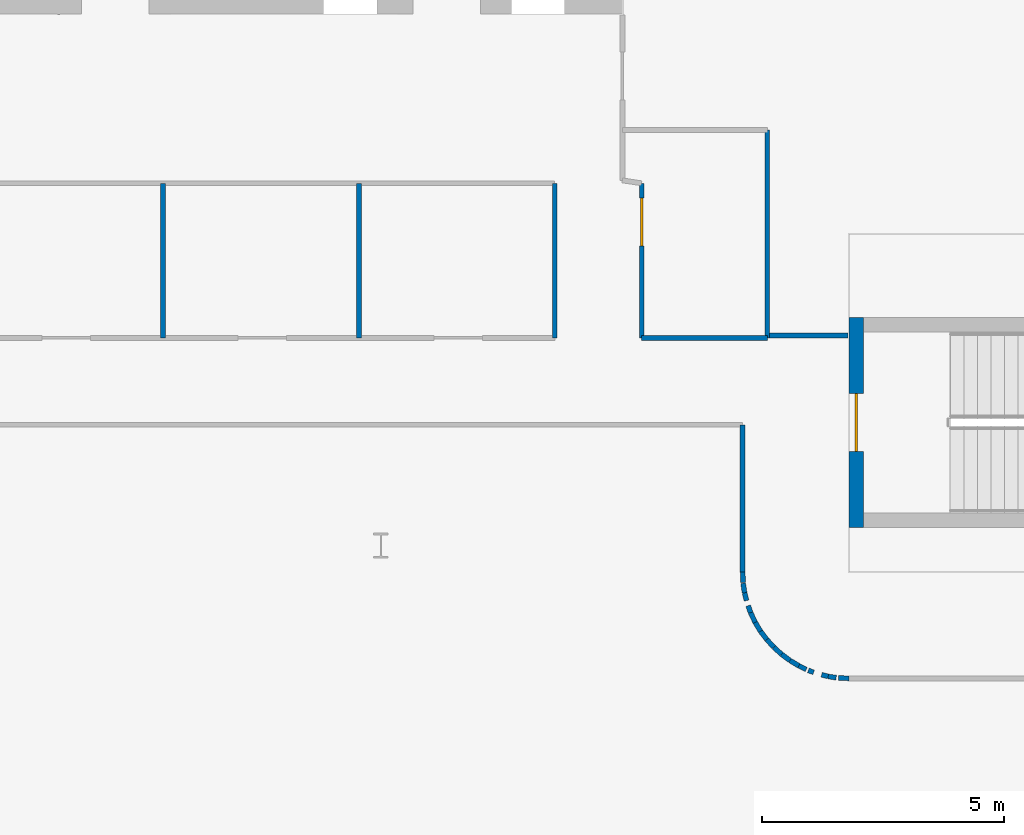
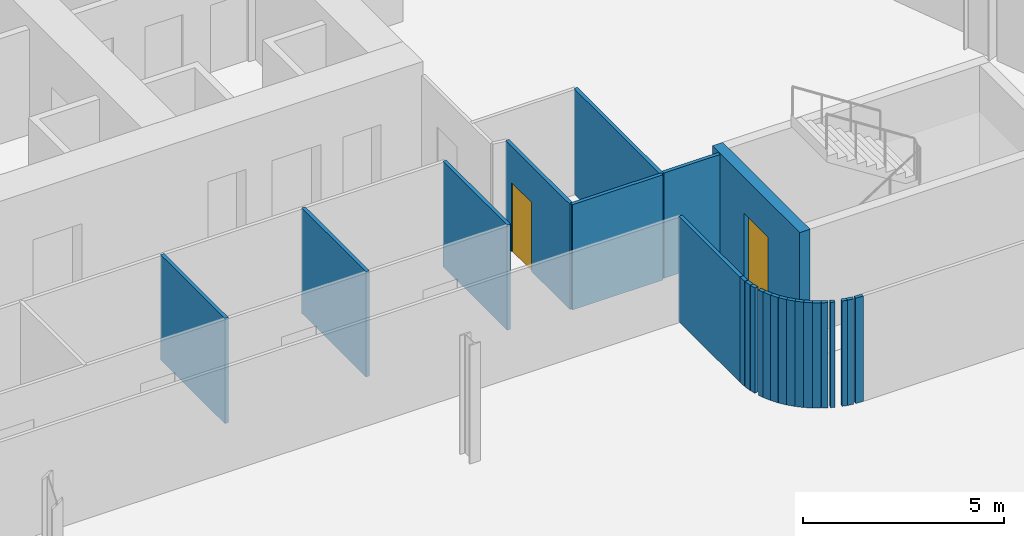
# One storey, part 19 of 30: 25 walls, 2 doors, 2 openings.
"""IFC4 building model written with IfcOpenShell, lengths in metres."""

from ifc_helpers import new_model, si_unit, direction, frame, frame_2d, origin, place, context, subcontext, project, spatial, rectangle, extrude, material, layer, layer_set, type_object, element, fill, save


model = new_model("IFC4")

# Units and contexts
model_context = context("Model", 3, precision=1e-05, world=origin(), true_north=direction((0.0, 1.0)))
body_context = subcontext(model_context, "Body", "Model", "MODEL_VIEW")
ifc_project = project(units=[si_unit("LENGTHUNIT", "METRE"), si_unit("AREAUNIT", "SQUARE_METRE"), si_unit("VOLUMEUNIT", "CUBIC_METRE"), si_unit("PLANEANGLEUNIT", "RADIAN"), si_unit("MASSUNIT", "GRAM", prefix="KILO")], contexts=[model_context])

# Site, building, storey
site_placement = place(None, origin())
site = spatial("IfcSite", under=ifc_project, at=site_placement, CompositionType="ELEMENT")
building_placement = place(site_placement, origin())
building = spatial("IfcBuilding", under=site, at=building_placement, Name="Wharfspan Tower", CompositionType="ELEMENT")
storey_placement = place(building_placement, frame((0.0, 0.0, 107.5)))
storey = spatial("IfcBuildingStorey", under=building, at=storey_placement, Name="L24", CompositionType="ELEMENT", Elevation=107.5)

# Walls
ifc_material_1 = material(Name="Gypsum board on steel studs", Category="steel")
ifc_layer_1 = layer(ifc_material_1, 0.100098)
ifc_layer_set_1 = layer_set([ifc_layer_1], Name="Gypsum board on steel studs")
wall_type_1 = type_object("IfcWallType", Name="Compartment wall 100 EI 60", PredefinedType="PARTITIONING", material=ifc_layer_set_1)
for number, where, z_axis, x_axis, name in (
    (1, (55.48999, 27.300049, 0.0), (0.0, 0.0, 1.0), (0.0, 1.0, 0.0), "Partition L24.w072"),
    (2, (59.544922, 27.300049, 0.0), (0.0, 0.0, 1.0), (0.0, 1.0, 0.0), "Partition L24.w074"),
    (3, (63.600098, 27.300049, 0.0), (0.0, 0.0, 1.0), (0.0, 1.0, 0.0), "Partition L24.w075"),
):
    element("IfcWall", number, at=place(storey_placement, frame(where, z_axis=z_axis, x_axis=x_axis)), inside=storey, type_object=wall_type_1, Name=name, PredefinedType="PARTITIONING", context=body_context, shape_type="SweptSolid", body=[
        extrude(rectangle(XDim=3.199951, YDim=0.100098, at=frame_2d((1.600098, 0.0))), origin(), (0.0, 0.0, 1.0), 3.199951),
    ])

# Wall, opening, door
wall_1_placement = place(storey_placement, frame((65.399902, 27.300049, 0.0), z_axis=(0.0, 0.0, 1.0), x_axis=(0.0, 1.0, 0.0)))
wall_1 = element("IfcWall", 4, at=wall_1_placement, inside=storey, type_object=wall_type_1, Name="Partition L24.w079", PredefinedType="PARTITIONING", context=body_context, shape_type="SweptSolid", body=[
    extrude(rectangle(XDim=3.199951, YDim=0.100098, at=frame_2d((1.600098, 0.0))), origin(), (0.0, 0.0, 1.0), 3.199951),
])
opening_1_placement = place(wall_1_placement, frame((1.899902, 0.0, 0.0)))
opening_1 = element("IfcOpeningElement", 5, at=opening_1_placement, cuts=wall_1, Name="Opening B2-19", PredefinedType="OPENING", context=body_context, shape_type="SweptSolid", body=[
    extrude(rectangle(XDim=1.0, YDim=2.100098, at=frame_2d((0.5, 1.050049))), frame((0.0, 0.060059, 0.0), z_axis=(0.0, -1.0, 0.0), x_axis=(1.0, 0.0, 0.0)), (0.0, 0.0, 1.0), 0.120117),
])
ifc_material_2 = material(Name="Fire-rated timber door leaf in steel frame", Category="steel")
door_type_1 = type_object("IfcDoorType", Name="Door 1000 FD30S Right", OperationType="SINGLE_SWING_RIGHT", PredefinedType="DOOR", material=ifc_material_2)
door_1_placement = place(opening_1_placement, origin())
door_1 = element("IfcDoor", 6, at=door_1_placement, inside=storey, type_object=door_type_1, Name="Door B2-19", OperationType="SINGLE_SWING_RIGHT", OverallHeight=2.100098, OverallWidth=1.0, PredefinedType="DOOR", context=body_context, shape_type="SweptSolid", body=[
    extrude(rectangle(XDim=1.0, YDim=2.100098, at=frame_2d((0.5, 1.050049))), frame((0.0, 0.024902, 0.0), z_axis=(0.0, -1.0, 0.0), x_axis=(1.0, 0.0, 0.0)), (0.0, 0.0, 1.0), 0.050049),
])
fill(opening_1, door_1)

# Walls
wall_2_placement = place(storey_placement, frame((65.399902, 27.300049, 0.0), z_axis=(0.0, 0.0, 1.0), x_axis=(1.0, 0.0, 0.0)))
element("IfcWall", 7, at=wall_2_placement, inside=storey, type_object=wall_type_1, Name="Partition L24.w080", PredefinedType="PARTITIONING", context=body_context, shape_type="SweptSolid", body=[
    extrude(rectangle(XDim=2.600098, YDim=0.100098, at=frame_2d((1.300049, 0.0))), origin(), (0.0, 0.0, 1.0), 3.199951),
])
wall_3_placement = place(storey_placement, frame((67.48999, 22.449951, 0.0), z_axis=(0.0, 0.0, 1.0), x_axis=(0.0, 1.0, 0.0)))
element("IfcWall", 8, at=wall_3_placement, inside=storey, type_object=wall_type_1, Name="Partition L24.w081", PredefinedType="PARTITIONING", context=body_context, shape_type="SweptSolid", body=[
    extrude(rectangle(XDim=3.050049, YDim=0.100098, at=frame_2d((1.524902, 0.0))), origin(), (0.0, 0.0, 1.0), 3.199951),
])
wall_4_placement = place(storey_placement, frame((67.5, 22.235107, 0.0), z_axis=(0.0, 0.0, 1.0), x_axis=(-0.04654, 0.998912, 0.0)))
element("IfcWall", 9, at=wall_4_placement, inside=storey, type_object=wall_type_1, Name="Partition L24.w082", PredefinedType="PARTITIONING", context=body_context, shape_type="SweptSolid", body=[
    extrude(rectangle(XDim=0.215088, YDim=0.100098, at=frame_2d((0.107422, 0.0))), origin(), (0.0, 0.0, 1.0), 3.199951),
])
wall_5_placement = place(storey_placement, frame((67.530029, 22.02002, 0.0), z_axis=(0.0, 0.0, 1.0), x_axis=(-0.148517, 0.988906, 0.0)))
element("IfcWall", 10, at=wall_5_placement, inside=storey, type_object=wall_type_1, Name="Partition L24.w083", PredefinedType="PARTITIONING", context=body_context, shape_type="SweptSolid", body=[
    extrude(rectangle(XDim=0.202148, YDim=0.100098, at=frame_2d((0.101074, 0.0))), origin(), (0.0, 0.0, 1.0), 3.199951),
])
wall_6_placement = place(storey_placement, frame((67.570068, 21.860107, 0.0), z_axis=(0.0, 0.0, 1.0), x_axis=(-0.242884, 0.970055, 0.0)))
element("IfcWall", 11, at=wall_6_placement, inside=storey, type_object=wall_type_1, Name="Partition L24.w084", PredefinedType="PARTITIONING", context=body_context, shape_type="SweptSolid", body=[
    extrude(rectangle(XDim=0.164795, YDim=0.100098, at=frame_2d((0.08252, 0.0))), origin(), (0.0, 0.0, 1.0), 3.199951),
])
wall_7_placement = place(storey_placement, frame((67.655029, 21.610107, 0.0), z_axis=(0.0, 0.0, 1.0), x_axis=(-0.326726, 0.945115, 0.0)))
element("IfcWall", 12, at=wall_7_placement, inside=storey, type_object=wall_type_1, Name="Partition L24.w085", PredefinedType="PARTITIONING", context=body_context, shape_type="SweptSolid", body=[
    extrude(rectangle(XDim=0.153076, YDim=0.100098, at=frame_2d((0.07666, 0.0))), origin(), (0.0, 0.0, 1.0), 3.199951),
])
wall_8_placement = place(storey_placement, frame((67.75, 21.409912, 0.0), z_axis=(0.0, 0.0, 1.0), x_axis=(-0.428606, 0.903488, 0.0)))
element("IfcWall", 13, at=wall_8_placement, inside=storey, type_object=wall_type_1, Name="Partition L24.w086", PredefinedType="PARTITIONING", context=body_context, shape_type="SweptSolid", body=[
    extrude(rectangle(XDim=0.22168, YDim=0.100098, at=frame_2d((0.11084, 0.0))), origin(), (0.0, 0.0, 1.0), 3.199951),
])
wall_9_placement = place(storey_placement, frame((67.860107, 21.225098, 0.0), z_axis=(0.0, 0.0, 1.0), x_axis=(-0.511823, 0.859091, 0.0)))
element("IfcWall", 14, at=wall_9_placement, inside=storey, type_object=wall_type_1, Name="Partition L24.w087", PredefinedType="PARTITIONING", context=body_context, shape_type="SweptSolid", body=[
    extrude(rectangle(XDim=0.215088, YDim=0.100098, at=frame_2d((0.107422, 0.0))), origin(), (0.0, 0.0, 1.0), 3.199951),
])
wall_10_placement = place(storey_placement, frame((67.98999, 21.054932, 0.0), z_axis=(0.0, 0.0, 1.0), x_axis=(-0.606728, 0.794905, 0.0)))
element("IfcWall", 15, at=wall_10_placement, inside=storey, type_object=wall_type_1, Name="Partition L24.w088", PredefinedType="PARTITIONING", context=body_context, shape_type="SweptSolid", body=[
    extrude(rectangle(XDim=0.214111, YDim=0.100098, at=frame_2d((0.106934, 0.0))), origin(), (0.0, 0.0, 1.0), 3.199951),
])
wall_11_placement = place(storey_placement, frame((68.0, 27.300049, 0.0), z_axis=(0.0, 0.0, 1.0), x_axis=(0.0, 1.0, 0.0)))
element("IfcWall", 16, at=wall_11_placement, inside=storey, type_object=wall_type_1, Name="Partition L24.w089", PredefinedType="PARTITIONING", context=body_context, shape_type="SweptSolid", body=[
    extrude(rectangle(XDim=4.300049, YDim=0.100098, at=frame_2d((2.149902, 0.0))), origin(), (0.0, 0.0, 1.0), 3.199951),
])
wall_12_placement = place(storey_placement, frame((68.050049, 27.350098, 0.0), z_axis=(0.0, 0.0, 1.0), x_axis=(1.0, 0.0, 0.0)))
element("IfcWall", 17, at=wall_12_placement, inside=storey, type_object=wall_type_1, Name="Partition L24.w091", PredefinedType="PARTITIONING", context=body_context, shape_type="SweptSolid", body=[
    extrude(rectangle(XDim=1.620361, YDim=0.100098, at=frame_2d((0.810059, 0.0))), origin(), (0.0, 0.0, 1.0), 3.199951),
])
for number, where, z_axis, x_axis, name in (
    (18, (68.13501, 20.89502, 0.0), (0.0, 0.0, 1.0), (-0.671775, 0.740762, 0.0), "Partition L24.w092"),
    (19, (68.294922, 20.75, 0.0), (0.0, 0.0, 1.0), (-0.740762, 0.671775, 0.0), "Partition L24.w093"),
):
    element("IfcWall", number, at=place(storey_placement, frame(where, z_axis=z_axis, x_axis=x_axis)), inside=storey, type_object=wall_type_1, Name=name, PredefinedType="PARTITIONING", context=body_context, shape_type="SweptSolid", body=[
        extrude(rectangle(XDim=0.21582, YDim=0.100098, at=frame_2d((0.10791, 0.0))), origin(), (0.0, 0.0, 1.0), 3.199951),
    ])
wall_13_placement = place(storey_placement, frame((68.469971, 20.620117, 0.0), z_axis=(0.0, 0.0, 1.0), x_axis=(-0.803079, 0.595869, 0.0)))
element("IfcWall", 20, at=wall_13_placement, inside=storey, type_object=wall_type_1, Name="Partition L24.w094", PredefinedType="PARTITIONING", context=body_context, shape_type="SweptSolid", body=[
    extrude(rectangle(XDim=0.218018, YDim=0.100098, at=frame_2d((0.108887, 0.0))), origin(), (0.0, 0.0, 1.0), 3.199951),
])
wall_14_placement = place(storey_placement, frame((68.655029, 20.51001, 0.0), z_axis=(0.0, 0.0, 1.0), x_axis=(-0.859387, 0.511324, 0.0)))
element("IfcWall", 21, at=wall_14_placement, inside=storey, type_object=wall_type_1, Name="Partition L24.w095", PredefinedType="PARTITIONING", context=body_context, shape_type="SweptSolid", body=[
    extrude(rectangle(XDim=0.215332, YDim=0.100098, at=frame_2d((0.107666, 0.0))), origin(), (0.0, 0.0, 1.0), 3.199951),
])
wall_15_placement = place(storey_placement, frame((68.804932, 20.435059, 0.0), z_axis=(0.0, 0.0, 1.0), x_axis=(-0.894428, 0.447214, 0.0)))
element("IfcWall", 22, at=wall_15_placement, inside=storey, type_object=wall_type_1, Name="Partition L24.w096", PredefinedType="PARTITIONING", context=body_context, shape_type="SweptSolid", body=[
    extrude(rectangle(XDim=0.16748, YDim=0.100098, at=frame_2d((0.08374, 0.0))), origin(), (0.0, 0.0, 1.0), 3.199951),
])
wall_16_placement = place(storey_placement, frame((68.959961, 20.375, 0.0), z_axis=(0.0, 0.0, 1.0), x_axis=(-0.939545, 0.342412, 0.0)))
element("IfcWall", 23, at=wall_16_placement, inside=storey, type_object=wall_type_1, Name="Partition L24.w097", PredefinedType="PARTITIONING", context=body_context, shape_type="SweptSolid", body=[
    extrude(rectangle(XDim=0.116943, YDim=0.100098, at=frame_2d((0.058594, 0.0))), origin(), (0.0, 0.0, 1.0), 3.199951),
])
wall_17_placement = place(storey_placement, frame((69.26001, 20.290039, 0.0), z_axis=(0.0, 0.0, 1.0), x_axis=(-0.968156, 0.250355, 0.0)))
element("IfcWall", 24, at=wall_17_placement, inside=storey, type_object=wall_type_1, Name="Partition L24.w098", PredefinedType="PARTITIONING", context=body_context, shape_type="SweptSolid", body=[
    extrude(rectangle(XDim=0.139404, YDim=0.100098, at=frame_2d((0.069824, 0.0))), origin(), (0.0, 0.0, 1.0), 3.199951),
])
wall_18_placement = place(storey_placement, frame((69.425049, 20.264893, 0.0), z_axis=(0.0, 0.0, 1.0), x_axis=(-0.988594, 0.150629, 0.0)))
element("IfcWall", 25, at=wall_18_placement, inside=storey, type_object=wall_type_1, Name="Partition L24.w099", PredefinedType="PARTITIONING", context=body_context, shape_type="SweptSolid", body=[
    extrude(rectangle(XDim=0.166992, YDim=0.100098, at=frame_2d((0.083496, 0.0))), origin(), (0.0, 0.0, 1.0), 3.199951),
])
wall_19_placement = place(storey_placement, frame((69.689941, 20.25, 0.0), z_axis=(0.0, 0.0, 1.0), x_axis=(-0.998912, 0.04654, 0.0)))
element("IfcWall", 26, at=wall_19_placement, inside=storey, type_object=wall_type_1, Name="Partition L24.w101", PredefinedType="PARTITIONING", context=body_context, shape_type="SweptSolid", body=[
    extrude(rectangle(XDim=0.215088, YDim=0.100098, at=frame_2d((0.107422, 0.0))), origin(), (0.0, 0.0, 1.0), 3.199951),
])

# Wall, opening, door
ifc_material_3 = material(Name="Concrete C40/50", Category="concrete")
ifc_layer_2 = layer(ifc_material_3, 0.300049)
ifc_layer_set_2 = layer_set([ifc_layer_2], Name="Concrete C40/50")
wall_type_2 = type_object("IfcWallType", Name="Stair core wall 300", PredefinedType="SHEAR", material=ifc_layer_set_2)
wall_20_placement = place(storey_placement, frame((69.840332, 23.375, 0.0), z_axis=(0.0, 0.0, 1.0), x_axis=(0.0, 1.0, 0.0)))
wall_20 = element("IfcWall", 27, at=wall_20_placement, inside=storey, type_object=wall_type_2, Name="ST6 stair enclosure wall L24", PredefinedType="SHEAR", context=body_context, shape_type="SweptSolid", body=[
    extrude(rectangle(XDim=4.350098, YDim=0.300049, at=frame_2d((2.175049, 0.0))), origin(), (0.0, 0.0, 1.0), 3.199951),
])
opening_2_placement = place(wall_20_placement, frame((1.574951, 0.0, 0.0)))
opening_2 = element("IfcOpeningElement", 28, at=opening_2_placement, cuts=wall_20, Name="Opening SD6.L24", PredefinedType="OPENING", context=body_context, shape_type="SweptSolid", body=[
    extrude(rectangle(XDim=1.199951, YDim=2.100098, at=frame_2d((0.600098, 1.050049))), frame((0.0, 0.159912, 0.0), z_axis=(0.0, -1.0, 0.0), x_axis=(1.0, 0.0, 0.0)), (0.0, 0.0, 1.0), 0.320068),
])
ifc_material_4 = material(Name="Steel door leaf", Category="steel")
door_type_2 = type_object("IfcDoorType", Name="Stair door 1200x2100", OperationType="SINGLE_SWING_LEFT", PredefinedType="DOOR", material=ifc_material_4)
door_2_placement = place(opening_2_placement, origin())
door_2 = element("IfcDoor", 29, at=door_2_placement, inside=storey, type_object=door_type_2, Name="sd:L24:ST6z2", OperationType="SINGLE_SWING_RIGHT", OverallHeight=2.100098, OverallWidth=1.199951, PredefinedType="DOOR", context=body_context, shape_type="SweptSolid", body=[
    extrude(rectangle(XDim=1.199951, YDim=2.100098, at=frame_2d((0.600098, 1.050049))), frame((0.0, 0.024902, 0.0), z_axis=(0.0, -1.0, 0.0), x_axis=(1.0, 0.0, 0.0)), (0.0, 0.0, 1.0), 0.050049),
])
fill(opening_2, door_2)

save(model, "model.ifc")
